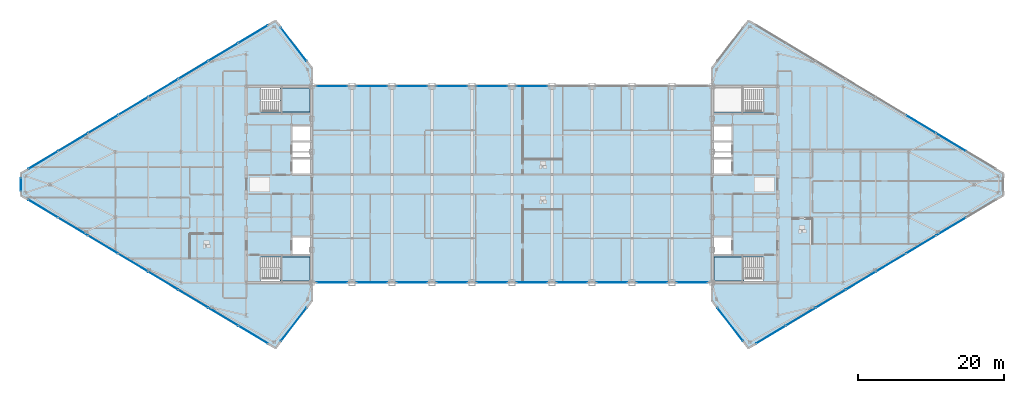
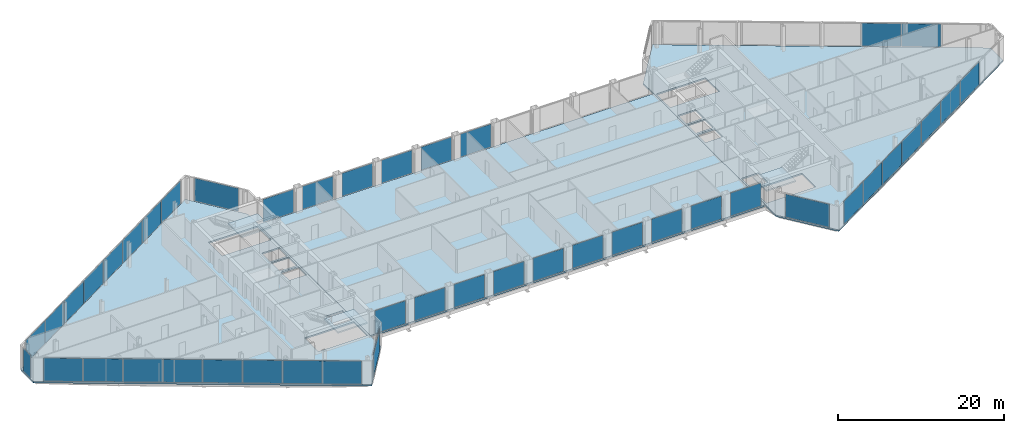
# One storey, part 19 of 29: 45 plates, 6 slabs, 27 elements without a shape of their own.
"""IFC4 building model written with IfcOpenShell, lengths in metres."""

from ifc_helpers import new_model, si_unit, direction, frame, origin, origin_2d, place, context, subcontext, project, spatial, polyline, rectangle, outline, extrude, source, transform, mapped, material, layer, layer_set, type_object, type_shapes, element, aggregate, save


model = new_model("IFC4")

# Units and contexts
model_context = context("Model", 3, precision=1e-05, world=origin(), true_north=direction((0.0, 1.0)))
body_context = subcontext(model_context, "Body", "Model", "MODEL_VIEW")
ifc_project = project(units=[si_unit("LENGTHUNIT", "METRE"), si_unit("AREAUNIT", "SQUARE_METRE"), si_unit("VOLUMEUNIT", "CUBIC_METRE"), si_unit("PLANEANGLEUNIT", "RADIAN"), si_unit("MASSUNIT", "GRAM", prefix="KILO")], contexts=[model_context])

# Site, building, storey
site_placement = place(None, origin())
site = spatial("IfcSite", under=ifc_project, at=site_placement, CompositionType="ELEMENT")
building_placement = place(site_placement, origin())
building = spatial("IfcBuilding", under=site, at=building_placement, Name="Seokmaru Belvedere", CompositionType="ELEMENT")
storey_placement = place(building_placement, frame((0.0, 0.0, 254.39990234375)))
storey = spatial("IfcBuildingStorey", under=building, at=storey_placement, Name="L67", CompositionType="ELEMENT", Elevation=254.39990234375)

# Stair, slab
ifc_material_1 = material(Name="Concrete C40 (40 MPa)", Category="concrete")
stair_type = type_object("IfcStairType", Name="Sky-Gate Residential Core Dog-Leg Stair 3750", PredefinedType="TWO_STRAIGHT_RUN_STAIR", material=ifc_material_1)
stair_1_placement = place(storey_placement, origin())
stair_1 = element("IfcStair", 1, at=stair_1_placement, inside=storey, type_object=stair_type, Name="L67 Special Escape Stair ST-W1", PredefinedType="TWO_STRAIGHT_RUN_STAIR")
ifc_layer_1 = layer(ifc_material_1, 0.199951171875)
ifc_layer_set_1 = layer_set([ifc_layer_1], Name="Concrete C40 (40 MPa)")
slab_type_1 = type_object("IfcSlabType", Name="Reinforced Concrete Stair Landing Slab 200", PredefinedType="LANDING", material=ifc_layer_set_1)
slab_1_placement = place(storey_placement, frame((0.0, 0.0, 1.675048828125)))
slab_1 = element("IfcSlab", 2, at=slab_1_placement, type_object=slab_type_1, Name="ST-W1 landing 1", PredefinedType="LANDING", context=body_context, shape_type="SweptSolid", body=[
    extrude(outline(polyline([(-31.8798828125, -13.239990234375), (-27.760009765625, -13.239990234375), (-27.760009765625, -9.949951171875), (-31.8798828125, -9.949951171875), (-31.8798828125, -13.239990234375)])), origin(), (0.0, 0.0, 1.0), 0.199951171875),
])
aggregate(stair_1, [slab_1])

stair_2_placement = place(storey_placement, origin())
stair_2 = element("IfcStair", 3, at=stair_2_placement, inside=storey, type_object=stair_type, Name="L67 Special Escape Stair ST-W2", PredefinedType="TWO_STRAIGHT_RUN_STAIR")
slab_2_placement = place(storey_placement, frame((0.0, 0.0, 1.675048828125)))
slab_2 = element("IfcSlab", 4, at=slab_2_placement, type_object=slab_type_1, Name="ST-W2 landing 1", PredefinedType="LANDING", context=body_context, shape_type="SweptSolid", body=[
    extrude(outline(polyline([(-31.8798828125, 9.949951171875), (-27.760009765625, 9.949951171875), (-27.760009765625, 13.239990234375), (-31.8798828125, 13.239990234375), (-31.8798828125, 9.949951171875)])), origin(), (0.0, 0.0, 1.0), 0.199951171875),
])
aggregate(stair_2, [slab_2])

stair_3_placement = place(storey_placement, origin())
stair_3 = element("IfcStair", 5, at=stair_3_placement, inside=storey, type_object=stair_type, Name="L67 Special Escape Stair ST-E1", PredefinedType="TWO_STRAIGHT_RUN_STAIR")
slab_3_placement = place(storey_placement, frame((0.0, 0.0, 1.675048828125)))
slab_3 = element("IfcSlab", 6, at=slab_3_placement, type_object=slab_type_1, Name="ST-E1 landing 1", PredefinedType="LANDING", context=body_context, shape_type="SweptSolid", body=[
    extrude(outline(polyline([(27.760009765625, -13.239990234375), (31.8798828125, -13.239990234375), (31.8798828125, -9.949951171875), (27.760009765625, -9.949951171875), (27.760009765625, -13.239990234375)])), origin(), (0.0, 0.0, 1.0), 0.199951171875),
])
aggregate(stair_3, [slab_3])

# Slabs
ifc_layer_2 = layer(ifc_material_1, 0.219970703125)
ifc_layer_set_2 = layer_set([ifc_layer_2], Name="Concrete C40 (40 MPa)")
slab_type_2 = type_object("IfcSlabType", Name="Typical Tower Composite Floor Slab 220", PredefinedType="FLOOR", material=ifc_layer_set_2)
slab_4_placement = place(storey_placement, frame((0.0, 0.0, -0.219970703125)))
element("IfcSlab", 7, at=slab_4_placement, inside=storey, type_object=slab_type_2, Name="L67 West Leg Floor Slab", PredefinedType="FLOOR", context=body_context, shape_type="SweptSolid", body=[
    extrude(outline(polyline([(-27.5, -16.0), (-27.5, 16.0), (-32.5, 22.5), (-67.5, 1.5), (-67.5, -1.5), (-32.5, -22.5), (-27.5, -16.0)]), holes=[polyline([(-34.60009765625, -13.25), (-27.75, -13.25), (-27.75, -9.949951171875), (-34.60009765625, -9.949951171875), (-34.60009765625, -13.25)]), polyline([(-34.60009765625, 9.949951171875), (-27.75, 9.949951171875), (-27.75, 13.25), (-34.60009765625, 13.25), (-34.60009765625, 9.949951171875)]), polyline([(-30.14990234375, -9.550048828125), (-27.75, -9.550048828125), (-27.75, -7.25), (-30.14990234375, -7.25), (-30.14990234375, -9.550048828125)]), polyline([(-30.14990234375, 1.449951171875), (-27.75, 1.449951171875), (-27.75, 3.449951171875), (-30.14990234375, 3.449951171875), (-30.14990234375, 1.449951171875)]), polyline([(-30.14990234375, 3.75), (-27.75, 3.75), (-27.75, 5.75), (-30.14990234375, 5.75), (-30.14990234375, 3.75)]), polyline([(-30.14990234375, 6.050048828125), (-27.75, 6.050048828125), (-27.75, 8.050048828125), (-30.14990234375, 8.050048828125), (-30.14990234375, 6.050048828125)])]), origin(), (0.0, 0.0, 1.0), 0.219970703125),
])
slab_5_placement = place(storey_placement, frame((0.0, 0.0, -0.219970703125)))
element("IfcSlab", 8, at=slab_5_placement, inside=storey, type_object=slab_type_2, Name="L67 East Leg Floor Slab", PredefinedType="FLOOR", context=body_context, shape_type="SweptSolid", body=[
    extrude(outline(polyline([(32.5, -22.5), (67.5, -1.5), (67.5, 1.5), (32.5, 22.5), (27.5, 16.0), (27.5, -16.0), (32.5, -22.5)]), holes=[polyline([(27.75, -13.25), (34.60009765625, -13.25), (34.60009765625, -9.949951171875), (27.75, -9.949951171875), (27.75, -13.25)]), polyline([(27.75, 9.949951171875), (34.60009765625, 9.949951171875), (34.60009765625, 13.25), (27.75, 13.25), (27.75, 9.949951171875)]), polyline([(27.75, -9.550048828125), (30.14990234375, -9.550048828125), (30.14990234375, -7.25), (27.75, -7.25), (27.75, -9.550048828125)]), polyline([(27.75, 1.449951171875), (30.14990234375, 1.449951171875), (30.14990234375, 3.449951171875), (27.75, 3.449951171875), (27.75, 1.449951171875)]), polyline([(27.75, 3.75), (30.14990234375, 3.75), (30.14990234375, 5.75), (27.75, 5.75), (27.75, 3.75)]), polyline([(27.75, 6.050048828125), (30.14990234375, 6.050048828125), (30.14990234375, 8.050048828125), (27.75, 8.050048828125), (27.75, 6.050048828125)])]), origin(), (0.0, 0.0, 1.0), 0.219970703125),
])
slab_6_placement = place(storey_placement, frame((0.0, 0.0, -0.219970703125)))
element("IfcSlab", 9, at=slab_6_placement, inside=storey, type_object=slab_type_2, Name="L67 Sky-Gate Bridge Floor Slab", PredefinedType="FLOOR", context=body_context, shape_type="SweptSolid", body=[
    extrude(outline(polyline([(-27.5, -13.5), (27.5, -13.5), (27.5, 13.5), (-27.5, 13.5), (-27.5, -13.5)])), origin(), (0.0, 0.0, 1.0), 0.219970703125),
])

# Curtain wall, plate
ifc_material_2 = material(Name="Bronze Triple Insulating Glass", Category="glass")
ifc_layer_3 = layer(ifc_material_2, 0.219970703125)
ifc_layer_set_3 = layer_set([ifc_layer_3], Name="Bronze Triple Insulating Glass")
curtain_wall_type = type_object("IfcCurtainWallType", Name="Sky-Gate Bridge Panorama Curtain Wall System CW-6", PredefinedType="NOTDEFINED", material=ifc_layer_set_3)
curtain_wall_1_placement = place(storey_placement, origin())
curtain_wall_1 = element("IfcCurtainWall", 10, at=curtain_wall_1_placement, inside=storey, type_object=curtain_wall_type, Name="L67 Curtain Wall WF2", PredefinedType="NOTDEFINED")
ifc_layer_4 = layer(ifc_material_2, 0.0419921875)
ifc_layer_set_4 = layer_set([ifc_layer_4], Name="Bronze Triple Insulating Glass")
plate_type = type_object("IfcPlateType", Name="Acoustic Laminated Panorama Glazing Panel 42", PredefinedType="CURTAIN_PANEL", material=ifc_layer_set_4)
shared_shape_1 = source(origin(), body_context, "Body", "SweptSolid", [
    extrude(rectangle(XDim=5.740478515625, YDim=0.0419921875, at=origin_2d()), origin(), (0.0, 0.0, 1.0), 3.3798828125),
])
plate_1_placement = place(storey_placement, frame((-30.0, 19.25, 0.0751953125), z_axis=(0.0, 0.0, 1.0), x_axis=(-0.609701187349, 0.792631353244, 0.0)))
plate_1 = element("IfcPlate", 11, at=plate_1_placement, type_object=plate_type, Name="CW:L67:WF2 Glazing Panel 1-1", PredefinedType="CURTAIN_PANEL", context=body_context, shape_type="MappedRepresentation", body=[
    mapped(shared_shape_1, transform((0.0, 0.0, 0.0), scale=1.0)),
])
aggregate(curtain_wall_1, [plate_1])

curtain_wall_2_placement = place(storey_placement, origin())
curtain_wall_2 = element("IfcCurtainWall", 12, at=curtain_wall_2_placement, inside=storey, type_object=curtain_wall_type, Name="L67 Curtain Wall WF6", PredefinedType="NOTDEFINED")
plate_2_placement = place(storey_placement, frame((-30.0, -19.25, 0.0751953125), z_axis=(0.0, 0.0, 1.0), x_axis=(0.609701187349, 0.792631353244, 0.0)))
plate_2 = element("IfcPlate", 13, at=plate_2_placement, type_object=plate_type, Name="CW:L67:WF6 Glazing Panel 1-1", PredefinedType="CURTAIN_PANEL", context=body_context, shape_type="MappedRepresentation", body=[
    mapped(shared_shape_1, transform((0.0, 0.0, 0.0), scale=1.0)),
])
aggregate(curtain_wall_2, [plate_2])

curtain_wall_3_placement = place(storey_placement, origin())
curtain_wall_3 = element("IfcCurtainWall", 14, at=curtain_wall_3_placement, inside=storey, type_object=curtain_wall_type, Name="L67 Curtain Wall EF6", PredefinedType="NOTDEFINED")
plate_3_placement = place(storey_placement, frame((30.0, -19.25, 0.0751953125), z_axis=(0.0, 0.0, 1.0), x_axis=(0.609701187349, -0.792631353244, 0.0)))
plate_3 = element("IfcPlate", 15, at=plate_3_placement, type_object=plate_type, Name="CW:L67:EF6 Glazing Panel 1-1", PredefinedType="CURTAIN_PANEL", context=body_context, shape_type="MappedRepresentation", body=[
    mapped(shared_shape_1, transform((0.0, 0.0, 0.0), scale=1.0)),
])
aggregate(curtain_wall_3, [plate_3])

# Curtain wall, plates
curtain_wall_4_placement = place(storey_placement, origin())
curtain_wall_4 = element("IfcCurtainWall", 16, at=curtain_wall_4_placement, inside=storey, type_object=curtain_wall_type, Name="L67 Curtain Wall WF3", PredefinedType="NOTDEFINED")
shared_shape_2 = source(origin(), body_context, "Body", "SweptSolid", [
    extrude(rectangle(XDim=4.694580078125, YDim=0.0419921875, at=origin_2d()), origin(), (0.0, 0.0, 1.0), 3.3798828125),
])
plate_4_placement = place(storey_placement, frame((-35.5673828125, 20.659423828125, 0.0751953125), z_axis=(0.0, 0.0, 1.0), x_axis=(-0.85749343335, -0.514494909364, 0.0)))
plate_4 = element("IfcPlate", 17, at=plate_4_placement, type_object=plate_type, Name="CW:L67:WF3 Glazing Panel 1-1", PredefinedType="CURTAIN_PANEL", context=body_context, shape_type="MappedRepresentation", body=[
    mapped(shared_shape_2, transform((0.0, 0.0, 0.0), scale=1.0)),
])
plate_5_placement = place(storey_placement, frame((-64.4326171875, 3.340576171875, 0.0751953125), z_axis=(0.0, 0.0, 1.0), x_axis=(-0.85749343335, -0.514494909364, 0.0)))
plate_5 = element("IfcPlate", 18, at=plate_5_placement, type_object=plate_type, Name="CW:L67:WF3 Glazing Panel 8-1", PredefinedType="CURTAIN_PANEL", context=body_context, shape_type="MappedRepresentation", body=[
    mapped(shared_shape_2, transform((0.0, 0.0, 0.0), scale=1.0)),
])

curtain_wall_5_placement = place(storey_placement, origin())
curtain_wall_5 = element("IfcCurtainWall", 19, at=curtain_wall_5_placement, inside=storey, type_object=curtain_wall_type, Name="L67 Curtain Wall WF5", PredefinedType="NOTDEFINED")
plate_6_placement = place(storey_placement, frame((-64.4326171875, -3.340576171875, 0.0751953125), z_axis=(0.0, 0.0, 1.0), x_axis=(0.85749343335, -0.514494909364, 0.0)))
plate_6 = element("IfcPlate", 20, at=plate_6_placement, type_object=plate_type, Name="CW:L67:WF5 Glazing Panel 1-1", PredefinedType="CURTAIN_PANEL", context=body_context, shape_type="MappedRepresentation", body=[
    mapped(shared_shape_2, transform((0.0, 0.0, 0.0), scale=1.0)),
])
plate_7_placement = place(storey_placement, frame((-35.5673828125, -20.659423828125, 0.0751953125), z_axis=(0.0, 0.0, 1.0), x_axis=(0.85749343335, -0.514494909364, 0.0)))
plate_7 = element("IfcPlate", 21, at=plate_7_placement, type_object=plate_type, Name="CW:L67:WF5 Glazing Panel 8-1", PredefinedType="CURTAIN_PANEL", context=body_context, shape_type="MappedRepresentation", body=[
    mapped(shared_shape_2, transform((0.0, 0.0, 0.0), scale=1.0)),
])

# Curtain wall, plate
curtain_wall_6_placement = place(storey_placement, origin())
curtain_wall_6 = element("IfcCurtainWall", 22, at=curtain_wall_6_placement, inside=storey, type_object=curtain_wall_type, Name="L67 Curtain Wall EF1", PredefinedType="NOTDEFINED")
plate_8_placement = place(storey_placement, frame((35.5673828125, -20.659423828125, 0.0751953125), z_axis=(0.0, 0.0, 1.0), x_axis=(0.85749343335, 0.514494909364, 0.0)))
plate_8 = element("IfcPlate", 23, at=plate_8_placement, type_object=plate_type, Name="CW:L67:EF1 Glazing Panel 1-1", PredefinedType="CURTAIN_PANEL", context=body_context, shape_type="MappedRepresentation", body=[
    mapped(shared_shape_2, transform((0.0, 0.0, 0.0), scale=1.0)),
])

# Plate
shared_shape_3 = source(origin(), body_context, "Body", "SweptSolid", [
    extrude(rectangle(XDim=4.734619140625, YDim=0.0419921875, at=origin_2d()), origin(), (0.0, 0.0, 1.0), 3.3798828125),
])
plate_9_placement = place(storey_placement, frame((-39.6787109375, 18.192626953125, 0.0751953125), z_axis=(0.0, 0.0, 1.0), x_axis=(-0.85749343335, -0.514494909364, 0.0)))
plate_9 = element("IfcPlate", 24, at=plate_9_placement, type_object=plate_type, Name="CW:L67:WF3 Glazing Panel 2-1", PredefinedType="CURTAIN_PANEL", context=body_context, shape_type="MappedRepresentation", body=[
    mapped(shared_shape_3, transform((0.0, 0.0, 0.0), scale=1.0)),
])

plate_10_placement = place(storey_placement, frame((-43.807373046875, 15.715576171875, 0.0751953125), z_axis=(0.0, 0.0, 1.0), x_axis=(-0.85749343335, -0.514494909364, 0.0)))
plate_10 = element("IfcPlate", 25, at=plate_10_placement, type_object=plate_type, Name="CW:L67:WF3 Glazing Panel 3-1", PredefinedType="CURTAIN_PANEL", context=body_context, shape_type="MappedRepresentation", body=[
    mapped(shared_shape_3, transform((0.0, 0.0, 0.0), scale=1.0)),
])

plate_11_placement = place(storey_placement, frame((-47.935791015625, 13.238525390625, 0.0751953125), z_axis=(0.0, 0.0, 1.0), x_axis=(-0.85749343335, -0.514494909364, 0.0)))
plate_11 = element("IfcPlate", 26, at=plate_11_placement, type_object=plate_type, Name="CW:L67:WF3 Glazing Panel 4-1", PredefinedType="CURTAIN_PANEL", context=body_context, shape_type="MappedRepresentation", body=[
    mapped(shared_shape_3, transform((0.0, 0.0, 0.0), scale=1.0)),
])

plate_12_placement = place(storey_placement, frame((-52.064208984375, 10.761474609375, 0.0751953125), z_axis=(0.0, 0.0, 1.0), x_axis=(-0.85749343335, -0.514494909364, 0.0)))
plate_12 = element("IfcPlate", 27, at=plate_12_placement, type_object=plate_type, Name="CW:L67:WF3 Glazing Panel 5-1", PredefinedType="CURTAIN_PANEL", context=body_context, shape_type="MappedRepresentation", body=[
    mapped(shared_shape_3, transform((0.0, 0.0, 0.0), scale=1.0)),
])

plate_13_placement = place(storey_placement, frame((-56.192626953125, 8.284423828125, 0.0751953125), z_axis=(0.0, 0.0, 1.0), x_axis=(-0.85749343335, -0.514494909364, 0.0)))
plate_13 = element("IfcPlate", 28, at=plate_13_placement, type_object=plate_type, Name="CW:L67:WF3 Glazing Panel 6-1", PredefinedType="CURTAIN_PANEL", context=body_context, shape_type="MappedRepresentation", body=[
    mapped(shared_shape_3, transform((0.0, 0.0, 0.0), scale=1.0)),
])

plate_14_placement = place(storey_placement, frame((-60.3212890625, 5.807373046875, 0.0751953125), z_axis=(0.0, 0.0, 1.0), x_axis=(-0.85749343335, -0.514494909364, 0.0)))
plate_14 = element("IfcPlate", 29, at=plate_14_placement, type_object=plate_type, Name="CW:L67:WF3 Glazing Panel 7-1", PredefinedType="CURTAIN_PANEL", context=body_context, shape_type="MappedRepresentation", body=[
    mapped(shared_shape_3, transform((0.0, 0.0, 0.0), scale=1.0)),
])

aggregate(curtain_wall_4, [plate_4, plate_9, plate_10, plate_11, plate_12, plate_13, plate_14, plate_5])

plate_15_placement = place(storey_placement, frame((-60.3212890625, -5.807373046875, 0.0751953125), z_axis=(0.0, 0.0, 1.0), x_axis=(0.85749343335, -0.514494909364, 0.0)))
plate_15 = element("IfcPlate", 30, at=plate_15_placement, type_object=plate_type, Name="CW:L67:WF5 Glazing Panel 2-1", PredefinedType="CURTAIN_PANEL", context=body_context, shape_type="MappedRepresentation", body=[
    mapped(shared_shape_3, transform((0.0, 0.0, 0.0), scale=1.0)),
])

plate_16_placement = place(storey_placement, frame((-56.192626953125, -8.284423828125, 0.0751953125), z_axis=(0.0, 0.0, 1.0), x_axis=(0.85749343335, -0.514494909364, 0.0)))
plate_16 = element("IfcPlate", 31, at=plate_16_placement, type_object=plate_type, Name="CW:L67:WF5 Glazing Panel 3-1", PredefinedType="CURTAIN_PANEL", context=body_context, shape_type="MappedRepresentation", body=[
    mapped(shared_shape_3, transform((0.0, 0.0, 0.0), scale=1.0)),
])

plate_17_placement = place(storey_placement, frame((-52.064208984375, -10.761474609375, 0.0751953125), z_axis=(0.0, 0.0, 1.0), x_axis=(0.85749343335, -0.514494909364, 0.0)))
plate_17 = element("IfcPlate", 32, at=plate_17_placement, type_object=plate_type, Name="CW:L67:WF5 Glazing Panel 4-1", PredefinedType="CURTAIN_PANEL", context=body_context, shape_type="MappedRepresentation", body=[
    mapped(shared_shape_3, transform((0.0, 0.0, 0.0), scale=1.0)),
])

plate_18_placement = place(storey_placement, frame((-47.935791015625, -13.238525390625, 0.0751953125), z_axis=(0.0, 0.0, 1.0), x_axis=(0.85749343335, -0.514494909364, 0.0)))
plate_18 = element("IfcPlate", 33, at=plate_18_placement, type_object=plate_type, Name="CW:L67:WF5 Glazing Panel 5-1", PredefinedType="CURTAIN_PANEL", context=body_context, shape_type="MappedRepresentation", body=[
    mapped(shared_shape_3, transform((0.0, 0.0, 0.0), scale=1.0)),
])

plate_19_placement = place(storey_placement, frame((-43.807373046875, -15.715576171875, 0.0751953125), z_axis=(0.0, 0.0, 1.0), x_axis=(0.85749343335, -0.514494909364, 0.0)))
plate_19 = element("IfcPlate", 34, at=plate_19_placement, type_object=plate_type, Name="CW:L67:WF5 Glazing Panel 6-1", PredefinedType="CURTAIN_PANEL", context=body_context, shape_type="MappedRepresentation", body=[
    mapped(shared_shape_3, transform((0.0, 0.0, 0.0), scale=1.0)),
])

plate_20_placement = place(storey_placement, frame((-39.6787109375, -18.192626953125, 0.0751953125), z_axis=(0.0, 0.0, 1.0), x_axis=(0.85749343335, -0.514494909364, 0.0)))
plate_20 = element("IfcPlate", 35, at=plate_20_placement, type_object=plate_type, Name="CW:L67:WF5 Glazing Panel 7-1", PredefinedType="CURTAIN_PANEL", context=body_context, shape_type="MappedRepresentation", body=[
    mapped(shared_shape_3, transform((0.0, 0.0, 0.0), scale=1.0)),
])

aggregate(curtain_wall_5, [plate_6, plate_15, plate_16, plate_17, plate_18, plate_19, plate_20, plate_7])

plate_21_placement = place(storey_placement, frame((39.6787109375, -18.192626953125, 0.0751953125), z_axis=(0.0, 0.0, 1.0), x_axis=(0.85749343335, 0.514494909364, 0.0)))
plate_21 = element("IfcPlate", 36, at=plate_21_placement, type_object=plate_type, Name="CW:L67:EF1 Glazing Panel 2-1", PredefinedType="CURTAIN_PANEL", context=body_context, shape_type="MappedRepresentation", body=[
    mapped(shared_shape_3, transform((0.0, 0.0, 0.0), scale=1.0)),
])

plate_22_placement = place(storey_placement, frame((43.807373046875, -15.715576171875, 0.0751953125), z_axis=(0.0, 0.0, 1.0), x_axis=(0.85749343335, 0.514494909364, 0.0)))
plate_22 = element("IfcPlate", 37, at=plate_22_placement, type_object=plate_type, Name="CW:L67:EF1 Glazing Panel 3-1", PredefinedType="CURTAIN_PANEL", context=body_context, shape_type="MappedRepresentation", body=[
    mapped(shared_shape_3, transform((0.0, 0.0, 0.0), scale=1.0)),
])

plate_23_placement = place(storey_placement, frame((47.935791015625, -13.238525390625, 0.0751953125), z_axis=(0.0, 0.0, 1.0), x_axis=(0.85749343335, 0.514494909364, 0.0)))
plate_23 = element("IfcPlate", 38, at=plate_23_placement, type_object=plate_type, Name="CW:L67:EF1 Glazing Panel 4-1", PredefinedType="CURTAIN_PANEL", context=body_context, shape_type="MappedRepresentation", body=[
    mapped(shared_shape_3, transform((0.0, 0.0, 0.0), scale=1.0)),
])

plate_24_placement = place(storey_placement, frame((52.064208984375, -10.761474609375, 0.0751953125), z_axis=(0.0, 0.0, 1.0), x_axis=(0.85749343335, 0.514494909364, 0.0)))
plate_24 = element("IfcPlate", 39, at=plate_24_placement, type_object=plate_type, Name="CW:L67:EF1 Glazing Panel 5-1", PredefinedType="CURTAIN_PANEL", context=body_context, shape_type="MappedRepresentation", body=[
    mapped(shared_shape_3, transform((0.0, 0.0, 0.0), scale=1.0)),
])

plate_25_placement = place(storey_placement, frame((56.192626953125, -8.284423828125, 0.0751953125), z_axis=(0.0, 0.0, 1.0), x_axis=(0.85749343335, 0.514494909364, 0.0)))
plate_25 = element("IfcPlate", 40, at=plate_25_placement, type_object=plate_type, Name="CW:L67:EF1 Glazing Panel 6-1", PredefinedType="CURTAIN_PANEL", context=body_context, shape_type="MappedRepresentation", body=[
    mapped(shared_shape_3, transform((0.0, 0.0, 0.0), scale=1.0)),
])

plate_26_placement = place(storey_placement, frame((60.3212890625, -5.807373046875, 0.0751953125), z_axis=(0.0, 0.0, 1.0), x_axis=(0.85749343335, 0.514494909364, 0.0)))
plate_26 = element("IfcPlate", 41, at=plate_26_placement, type_object=plate_type, Name="CW:L67:EF1 Glazing Panel 7-1", PredefinedType="CURTAIN_PANEL", context=body_context, shape_type="MappedRepresentation", body=[
    mapped(shared_shape_3, transform((0.0, 0.0, 0.0), scale=1.0)),
])

aggregate(curtain_wall_6, [plate_8, plate_21, plate_22, plate_23, plate_24, plate_25, plate_26])

# Curtain wall, plates
curtain_wall_7_placement = place(storey_placement, origin())
curtain_wall_7 = element("IfcCurtainWall", 42, at=curtain_wall_7_placement, inside=storey, type_object=curtain_wall_type, Name="L67 Curtain Wall EF3", PredefinedType="NOTDEFINED")
plate_27_placement = place(storey_placement, frame((60.3212890625, 5.807373046875, 0.0751953125), z_axis=(0.0, 0.0, 1.0), x_axis=(-0.85749343335, 0.514494909364, 0.0)))
plate_27 = element("IfcPlate", 43, at=plate_27_placement, type_object=plate_type, Name="CW:L67:EF3 Glazing Panel 2-1", PredefinedType="CURTAIN_PANEL", context=body_context, shape_type="MappedRepresentation", body=[
    mapped(shared_shape_3, transform((0.0, 0.0, 0.0), scale=1.0)),
])
plate_28_placement = place(storey_placement, frame((56.192626953125, 8.284423828125, 0.0751953125), z_axis=(0.0, 0.0, 1.0), x_axis=(-0.85749343335, 0.514494909364, 0.0)))
plate_28 = element("IfcPlate", 44, at=plate_28_placement, type_object=plate_type, Name="CW:L67:EF3 Glazing Panel 3-1", PredefinedType="CURTAIN_PANEL", context=body_context, shape_type="MappedRepresentation", body=[
    mapped(shared_shape_3, transform((0.0, 0.0, 0.0), scale=1.0)),
])
aggregate(curtain_wall_7, [plate_27, plate_28])

# Curtain wall, plate
curtain_wall_8_placement = place(storey_placement, origin())
curtain_wall_8 = element("IfcCurtainWall", 45, at=curtain_wall_8_placement, inside=storey, type_object=curtain_wall_type, Name="L67 Curtain Wall WF4", PredefinedType="NOTDEFINED")
shared_shape_4 = source(origin(), body_context, "Body", "SweptSolid", [
    extrude(rectangle(XDim=1.739990234375, YDim=0.0419921875, at=origin_2d()), origin(), (0.0, 0.0, 1.0), 3.3798828125),
])
plate_29_placement = place(storey_placement, frame((-67.5, 0.0, 0.0751953125), z_axis=(0.0, 0.0, 1.0), x_axis=(0.0, -1.0, 0.0)))
plate_29 = element("IfcPlate", 46, at=plate_29_placement, type_object=plate_type, Name="CW:L67:WF4 Glazing Panel 1-1", PredefinedType="CURTAIN_PANEL", context=body_context, shape_type="MappedRepresentation", body=[
    mapped(shared_shape_4, transform((0.0, 0.0, 0.0), scale=1.0)),
])
aggregate(curtain_wall_8, [plate_29])

curtain_wall_9_placement = place(storey_placement, origin())
curtain_wall_9 = element("IfcCurtainWall", 47, at=curtain_wall_9_placement, inside=storey, type_object=curtain_wall_type, Name="L67 Curtain Wall BR_S01", PredefinedType="NOTDEFINED")
shared_shape_5 = source(origin(), body_context, "Body", "SweptSolid", [
    extrude(rectangle(XDim=4.239990234375, YDim=0.0419921875, at=origin_2d()), origin(), (0.0, 0.0, 1.0), 3.3798828125),
])
type_shapes(plate_type, [shared_shape_1, shared_shape_2, shared_shape_3, shared_shape_4, shared_shape_5])
plate_30_placement = place(storey_placement, frame((-24.75, -13.5, 0.0751953125), z_axis=(0.0, 0.0, 1.0), x_axis=(1.0, 0.0, 0.0)))
plate_30 = element("IfcPlate", 48, at=plate_30_placement, type_object=plate_type, Name="CW:L67:BR_S01 Glazing Panel 1-1", PredefinedType="CURTAIN_PANEL", context=body_context, shape_type="MappedRepresentation", body=[
    mapped(shared_shape_5, transform((0.0, 0.0, 0.0), scale=1.0)),
])
aggregate(curtain_wall_9, [plate_30])

curtain_wall_10_placement = place(storey_placement, origin())
curtain_wall_10 = element("IfcCurtainWall", 49, at=curtain_wall_10_placement, inside=storey, type_object=curtain_wall_type, Name="L67 Curtain Wall BR_N01", PredefinedType="NOTDEFINED")
plate_31_placement = place(storey_placement, frame((-24.75, 13.5, 0.0751953125), z_axis=(0.0, 0.0, 1.0), x_axis=(-1.0, 0.0, 0.0)))
plate_31 = element("IfcPlate", 50, at=plate_31_placement, type_object=plate_type, Name="CW:L67:BR_N01 Glazing Panel 1-1", PredefinedType="CURTAIN_PANEL", context=body_context, shape_type="MappedRepresentation", body=[
    mapped(shared_shape_5, transform((0.0, 0.0, 0.0), scale=1.0)),
])
aggregate(curtain_wall_10, [plate_31])

curtain_wall_11_placement = place(storey_placement, origin())
curtain_wall_11 = element("IfcCurtainWall", 51, at=curtain_wall_11_placement, inside=storey, type_object=curtain_wall_type, Name="L67 Curtain Wall BR_S02", PredefinedType="NOTDEFINED")
plate_32_placement = place(storey_placement, frame((-19.25, -13.5, 0.0751953125), z_axis=(0.0, 0.0, 1.0), x_axis=(1.0, 0.0, 0.0)))
plate_32 = element("IfcPlate", 52, at=plate_32_placement, type_object=plate_type, Name="CW:L67:BR_S02 Glazing Panel 1-1", PredefinedType="CURTAIN_PANEL", context=body_context, shape_type="MappedRepresentation", body=[
    mapped(shared_shape_5, transform((0.0, 0.0, 0.0), scale=1.0)),
])
aggregate(curtain_wall_11, [plate_32])

curtain_wall_12_placement = place(storey_placement, origin())
curtain_wall_12 = element("IfcCurtainWall", 53, at=curtain_wall_12_placement, inside=storey, type_object=curtain_wall_type, Name="L67 Curtain Wall BR_N02", PredefinedType="NOTDEFINED")
plate_33_placement = place(storey_placement, frame((-19.25, 13.5, 0.0751953125), z_axis=(0.0, 0.0, 1.0), x_axis=(-1.0, 0.0, 0.0)))
plate_33 = element("IfcPlate", 54, at=plate_33_placement, type_object=plate_type, Name="CW:L67:BR_N02 Glazing Panel 1-1", PredefinedType="CURTAIN_PANEL", context=body_context, shape_type="MappedRepresentation", body=[
    mapped(shared_shape_5, transform((0.0, 0.0, 0.0), scale=1.0)),
])
aggregate(curtain_wall_12, [plate_33])

curtain_wall_13_placement = place(storey_placement, origin())
curtain_wall_13 = element("IfcCurtainWall", 55, at=curtain_wall_13_placement, inside=storey, type_object=curtain_wall_type, Name="L67 Curtain Wall BR_S03", PredefinedType="NOTDEFINED")
plate_34_placement = place(storey_placement, frame((-13.75, -13.5, 0.0751953125), z_axis=(0.0, 0.0, 1.0), x_axis=(1.0, 0.0, 0.0)))
plate_34 = element("IfcPlate", 56, at=plate_34_placement, type_object=plate_type, Name="CW:L67:BR_S03 Glazing Panel 1-1", PredefinedType="CURTAIN_PANEL", context=body_context, shape_type="MappedRepresentation", body=[
    mapped(shared_shape_5, transform((0.0, 0.0, 0.0), scale=1.0)),
])
aggregate(curtain_wall_13, [plate_34])

curtain_wall_14_placement = place(storey_placement, origin())
curtain_wall_14 = element("IfcCurtainWall", 57, at=curtain_wall_14_placement, inside=storey, type_object=curtain_wall_type, Name="L67 Curtain Wall BR_N03", PredefinedType="NOTDEFINED")
plate_35_placement = place(storey_placement, frame((-13.75, 13.5, 0.0751953125), z_axis=(0.0, 0.0, 1.0), x_axis=(-1.0, 0.0, 0.0)))
plate_35 = element("IfcPlate", 58, at=plate_35_placement, type_object=plate_type, Name="CW:L67:BR_N03 Glazing Panel 1-1", PredefinedType="CURTAIN_PANEL", context=body_context, shape_type="MappedRepresentation", body=[
    mapped(shared_shape_5, transform((0.0, 0.0, 0.0), scale=1.0)),
])
aggregate(curtain_wall_14, [plate_35])

curtain_wall_15_placement = place(storey_placement, origin())
curtain_wall_15 = element("IfcCurtainWall", 59, at=curtain_wall_15_placement, inside=storey, type_object=curtain_wall_type, Name="L67 Curtain Wall BR_S04", PredefinedType="NOTDEFINED")
plate_36_placement = place(storey_placement, frame((-8.25, -13.5, 0.0751953125), z_axis=(0.0, 0.0, 1.0), x_axis=(1.0, 0.0, 0.0)))
plate_36 = element("IfcPlate", 60, at=plate_36_placement, type_object=plate_type, Name="CW:L67:BR_S04 Glazing Panel 1-1", PredefinedType="CURTAIN_PANEL", context=body_context, shape_type="MappedRepresentation", body=[
    mapped(shared_shape_5, transform((0.0, 0.0, 0.0), scale=1.0)),
])
aggregate(curtain_wall_15, [plate_36])

curtain_wall_16_placement = place(storey_placement, origin())
curtain_wall_16 = element("IfcCurtainWall", 61, at=curtain_wall_16_placement, inside=storey, type_object=curtain_wall_type, Name="L67 Curtain Wall BR_N04", PredefinedType="NOTDEFINED")
plate_37_placement = place(storey_placement, frame((-8.25, 13.5, 0.0751953125), z_axis=(0.0, 0.0, 1.0), x_axis=(-1.0, 0.0, 0.0)))
plate_37 = element("IfcPlate", 62, at=plate_37_placement, type_object=plate_type, Name="CW:L67:BR_N04 Glazing Panel 1-1", PredefinedType="CURTAIN_PANEL", context=body_context, shape_type="MappedRepresentation", body=[
    mapped(shared_shape_5, transform((0.0, 0.0, 0.0), scale=1.0)),
])
aggregate(curtain_wall_16, [plate_37])

curtain_wall_17_placement = place(storey_placement, origin())
curtain_wall_17 = element("IfcCurtainWall", 63, at=curtain_wall_17_placement, inside=storey, type_object=curtain_wall_type, Name="L67 Curtain Wall BR_S05", PredefinedType="NOTDEFINED")
plate_38_placement = place(storey_placement, frame((-2.75, -13.5, 0.0751953125), z_axis=(0.0, 0.0, 1.0), x_axis=(1.0, 0.0, 0.0)))
plate_38 = element("IfcPlate", 64, at=plate_38_placement, type_object=plate_type, Name="CW:L67:BR_S05 Glazing Panel 1-1", PredefinedType="CURTAIN_PANEL", context=body_context, shape_type="MappedRepresentation", body=[
    mapped(shared_shape_5, transform((0.0, 0.0, 0.0), scale=1.0)),
])
aggregate(curtain_wall_17, [plate_38])

curtain_wall_18_placement = place(storey_placement, origin())
curtain_wall_18 = element("IfcCurtainWall", 65, at=curtain_wall_18_placement, inside=storey, type_object=curtain_wall_type, Name="L67 Curtain Wall BR_N05", PredefinedType="NOTDEFINED")
plate_39_placement = place(storey_placement, frame((-2.75, 13.5, 0.0751953125), z_axis=(0.0, 0.0, 1.0), x_axis=(-1.0, 0.0, 0.0)))
plate_39 = element("IfcPlate", 66, at=plate_39_placement, type_object=plate_type, Name="CW:L67:BR_N05 Glazing Panel 1-1", PredefinedType="CURTAIN_PANEL", context=body_context, shape_type="MappedRepresentation", body=[
    mapped(shared_shape_5, transform((0.0, 0.0, 0.0), scale=1.0)),
])
aggregate(curtain_wall_18, [plate_39])

curtain_wall_19_placement = place(storey_placement, origin())
curtain_wall_19 = element("IfcCurtainWall", 67, at=curtain_wall_19_placement, inside=storey, type_object=curtain_wall_type, Name="L67 Curtain Wall BR_S06", PredefinedType="NOTDEFINED")
plate_40_placement = place(storey_placement, frame((2.75, -13.5, 0.0751953125), z_axis=(0.0, 0.0, 1.0), x_axis=(1.0, 0.0, 0.0)))
plate_40 = element("IfcPlate", 68, at=plate_40_placement, type_object=plate_type, Name="CW:L67:BR_S06 Glazing Panel 1-1", PredefinedType="CURTAIN_PANEL", context=body_context, shape_type="MappedRepresentation", body=[
    mapped(shared_shape_5, transform((0.0, 0.0, 0.0), scale=1.0)),
])
aggregate(curtain_wall_19, [plate_40])

curtain_wall_20_placement = place(storey_placement, origin())
curtain_wall_20 = element("IfcCurtainWall", 69, at=curtain_wall_20_placement, inside=storey, type_object=curtain_wall_type, Name="L67 Curtain Wall BR_N06", PredefinedType="NOTDEFINED")
plate_41_placement = place(storey_placement, frame((2.75, 13.5, 0.0751953125), z_axis=(0.0, 0.0, 1.0), x_axis=(-1.0, 0.0, 0.0)))
plate_41 = element("IfcPlate", 70, at=plate_41_placement, type_object=plate_type, Name="CW:L67:BR_N06 Glazing Panel 1-1", PredefinedType="CURTAIN_PANEL", context=body_context, shape_type="MappedRepresentation", body=[
    mapped(shared_shape_5, transform((0.0, 0.0, 0.0), scale=1.0)),
])
aggregate(curtain_wall_20, [plate_41])

curtain_wall_21_placement = place(storey_placement, origin())
curtain_wall_21 = element("IfcCurtainWall", 71, at=curtain_wall_21_placement, inside=storey, type_object=curtain_wall_type, Name="L67 Curtain Wall BR_S07", PredefinedType="NOTDEFINED")
plate_42_placement = place(storey_placement, frame((8.25, -13.5, 0.0751953125), z_axis=(0.0, 0.0, 1.0), x_axis=(1.0, 0.0, 0.0)))
plate_42 = element("IfcPlate", 72, at=plate_42_placement, type_object=plate_type, Name="CW:L67:BR_S07 Glazing Panel 1-1", PredefinedType="CURTAIN_PANEL", context=body_context, shape_type="MappedRepresentation", body=[
    mapped(shared_shape_5, transform((0.0, 0.0, 0.0), scale=1.0)),
])
aggregate(curtain_wall_21, [plate_42])

curtain_wall_22_placement = place(storey_placement, origin())
curtain_wall_22 = element("IfcCurtainWall", 73, at=curtain_wall_22_placement, inside=storey, type_object=curtain_wall_type, Name="L67 Curtain Wall BR_S08", PredefinedType="NOTDEFINED")
plate_43_placement = place(storey_placement, frame((13.75, -13.5, 0.0751953125), z_axis=(0.0, 0.0, 1.0), x_axis=(1.0, 0.0, 0.0)))
plate_43 = element("IfcPlate", 74, at=plate_43_placement, type_object=plate_type, Name="CW:L67:BR_S08 Glazing Panel 1-1", PredefinedType="CURTAIN_PANEL", context=body_context, shape_type="MappedRepresentation", body=[
    mapped(shared_shape_5, transform((0.0, 0.0, 0.0), scale=1.0)),
])
aggregate(curtain_wall_22, [plate_43])

curtain_wall_23_placement = place(storey_placement, origin())
curtain_wall_23 = element("IfcCurtainWall", 75, at=curtain_wall_23_placement, inside=storey, type_object=curtain_wall_type, Name="L67 Curtain Wall BR_S09", PredefinedType="NOTDEFINED")
plate_44_placement = place(storey_placement, frame((19.25, -13.5, 0.0751953125), z_axis=(0.0, 0.0, 1.0), x_axis=(1.0, 0.0, 0.0)))
plate_44 = element("IfcPlate", 76, at=plate_44_placement, type_object=plate_type, Name="CW:L67:BR_S09 Glazing Panel 1-1", PredefinedType="CURTAIN_PANEL", context=body_context, shape_type="MappedRepresentation", body=[
    mapped(shared_shape_5, transform((0.0, 0.0, 0.0), scale=1.0)),
])
aggregate(curtain_wall_23, [plate_44])

curtain_wall_24_placement = place(storey_placement, origin())
curtain_wall_24 = element("IfcCurtainWall", 77, at=curtain_wall_24_placement, inside=storey, type_object=curtain_wall_type, Name="L67 Curtain Wall BR_S10", PredefinedType="NOTDEFINED")
plate_45_placement = place(storey_placement, frame((24.75, -13.5, 0.0751953125), z_axis=(0.0, 0.0, 1.0), x_axis=(1.0, 0.0, 0.0)))
plate_45 = element("IfcPlate", 78, at=plate_45_placement, type_object=plate_type, Name="CW:L67:BR_S10 Glazing Panel 1-1", PredefinedType="CURTAIN_PANEL", context=body_context, shape_type="MappedRepresentation", body=[
    mapped(shared_shape_5, transform((0.0, 0.0, 0.0), scale=1.0)),
])
aggregate(curtain_wall_24, [plate_45])

save(model, "model.ifc")
